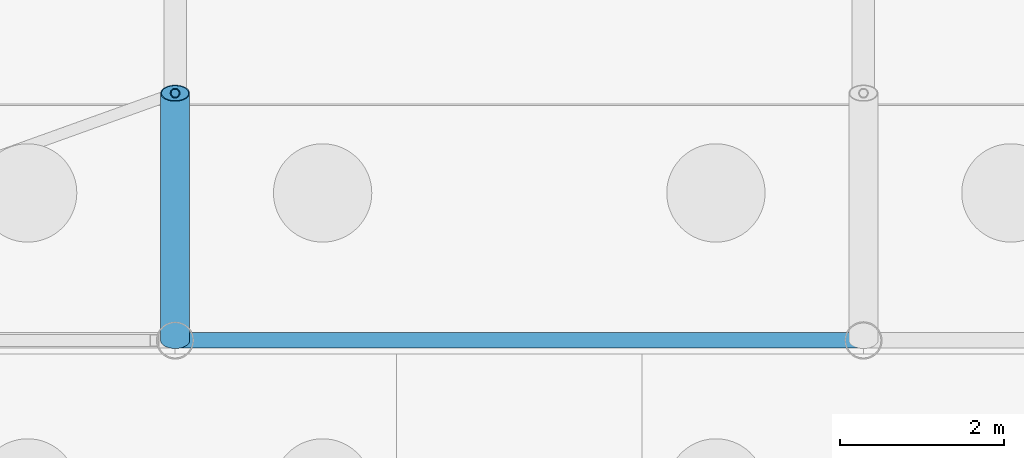
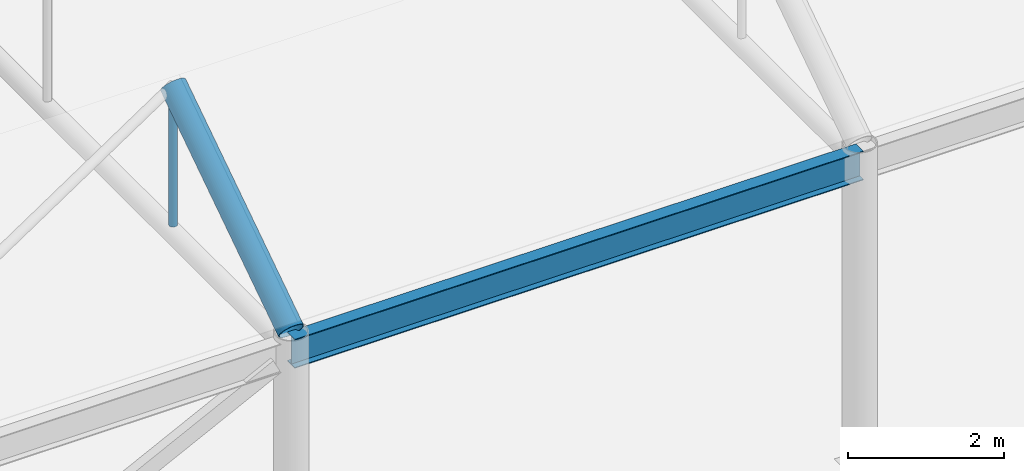
# One storey, part 37 of 212: 2 members, 1 beam.
"""IFC4 building model written with IfcOpenShell, lengths in metres."""

from ifc_helpers import new_model, si_unit, direction, frame, origin, origin_2d, place, context, subcontext, project, spatial, hollow_circle, i_section, extrude, material, material_profile, profile_set, type_object, element, save


model = new_model("IFC4")

# Units and contexts
model_context = context("Model", 3, precision=1e-05, world=origin(), true_north=direction((0.0, 1.0)))
body_context = subcontext(model_context, "Body", "Model", "MODEL_VIEW")
ifc_project = project(units=[si_unit("LENGTHUNIT", "METRE"), si_unit("AREAUNIT", "SQUARE_METRE"), si_unit("VOLUMEUNIT", "CUBIC_METRE"), si_unit("PLANEANGLEUNIT", "RADIAN"), si_unit("MASSUNIT", "GRAM", prefix="KILO")], contexts=[model_context])

# Site, building, storey
site_placement = place(None, origin())
site = spatial("IfcSite", under=ifc_project, at=site_placement, CompositionType="ELEMENT")
building_placement = place(site_placement, origin())
building = spatial("IfcBuilding", under=site, at=building_placement, Name="Catenary Quay Ferry Terminal", CompositionType="ELEMENT")
storey_placement = place(building_placement, origin())
storey = spatial("IfcBuildingStorey", under=building, at=storey_placement, Name="L00", CompositionType="ELEMENT", Elevation=0.0)

# Beam
ifc_material_1 = material(Name="Steel S355", Category="steel")
ifc_material_profile_1 = material_profile(ifc_material_1, i_section(OverallWidth=0.18994140625, OverallDepth=0.453369140625, WebThickness=0.008544921875, FlangeThickness=0.0126953125, at=origin_2d()), Name="UB 457x191x67")
ifc_profile_set_1 = profile_set([ifc_material_profile_1], Name="Steel S355")
beam_type = type_object("IfcBeamType", Name="B1 UB 457x191x67", PredefinedType="BEAM", material=ifc_profile_set_1)
beam_placement = place(storey_placement, frame((25.199951171875, 16.800048828125, 4.699951171875), z_axis=(1.0, 0.0, 0.0), x_axis=(0.0, 1.0, 0.0)))
element("IfcBeam", 1, at=beam_placement, inside=storey, type_object=beam_type, Name="Eaves beam B-CA3-2", PredefinedType="BEAM", context=body_context, shape_type="SweptSolid", body=[
    extrude(i_section(OverallWidth=0.18994140625, OverallDepth=0.453369140625, WebThickness=0.008544921875, FlangeThickness=0.0126953125, at=origin_2d()), origin(), (0.0, 0.0, 1.0), 8.400146484375),
])

# Members
ifc_material_2 = material(Name="Steel S355", Category="steel")
ifc_material_profile_2 = material_profile(ifc_material_2, hollow_circle(Radius=0.05712890625, WallThickness=0.00634765625, at=origin_2d()), Name="CHS 114.3x6.3")
ifc_profile_set_2 = profile_set([ifc_material_profile_2], Name="Steel S355")
member_type_1 = type_object("IfcMemberType", Name="HG1 CHS 114.3x6.3", PredefinedType="POST", material=ifc_profile_set_2)
member_1_placement = place(storey_placement, frame((25.199951171875, 19.818115234375, 4.830078125), z_axis=(0.0, 0.0, 1.0), x_axis=(1.0, 0.0, 0.0)))
element("IfcMember", 2, at=member_1_placement, inside=storey, type_object=member_type_1, Name="Hanger CA-02-01", PredefinedType="POST", context=body_context, shape_type="SweptSolid", body=[
    extrude(hollow_circle(Radius=0.05712890625, WallThickness=0.00634765625, at=origin_2d()), origin(), (0.0, 0.0, 1.0), 2.010986328125),
])
ifc_material_3 = material(Name="Steel S355", Category="steel")
ifc_material_profile_3 = material_profile(ifc_material_3, hollow_circle(Radius=0.177734375, WallThickness=0.012451171875, at=origin_2d()), Name="CHS 355.6x12.5")
ifc_profile_set_3 = profile_set([ifc_material_profile_3], Name="Steel S355")
member_type_2 = type_object("IfcMemberType", Name="VR1 CHS 355.6x12.5", PredefinedType="RAFTER", material=ifc_profile_set_3)
member_2_placement = place(storey_placement, frame((25.199951171875, 16.800048828125, 5.0), z_axis=(0.0, 0.831936388081, 0.554871017613), x_axis=(-1.0, 0.0, 0.0)))
element("IfcMember", 3, at=member_2_placement, inside=storey, type_object=member_type_2, Name="rib CA-02-01", PredefinedType="RAFTER", context=body_context, shape_type="SweptSolid", body=[
    extrude(hollow_circle(Radius=0.177734375, WallThickness=0.012451171875, at=origin_2d()), origin(), (0.0, 0.0, 1.0), 3.627685546875),
])

save(model, "model.ifc")
